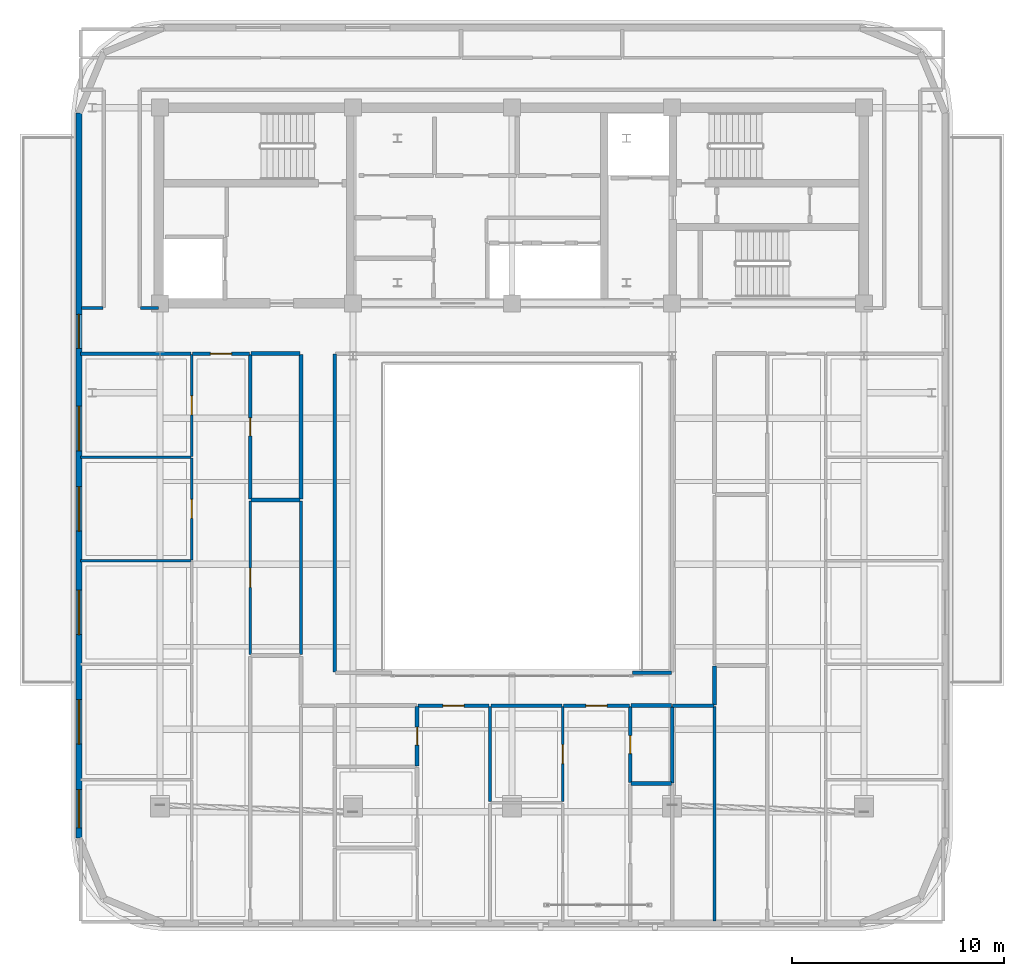
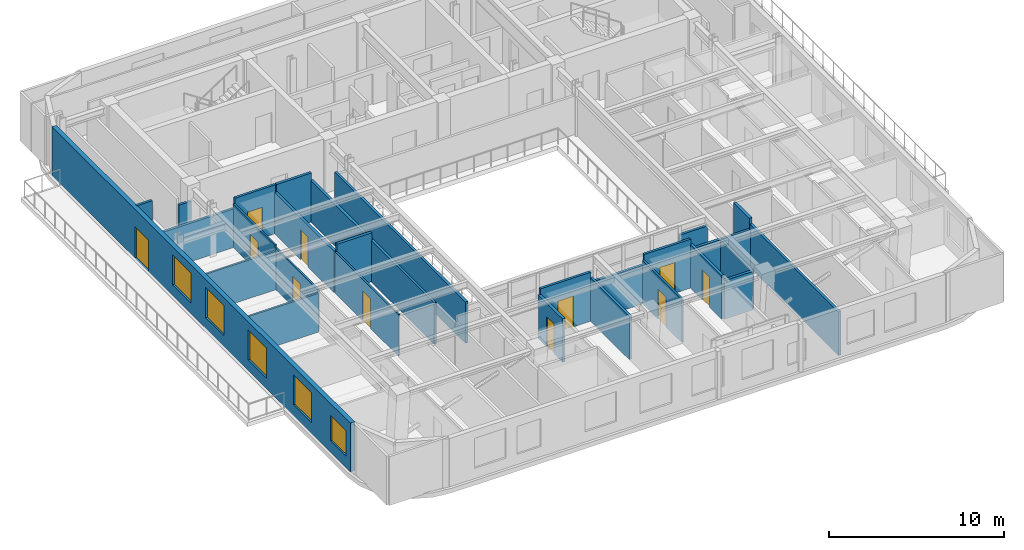
# One storey, part 7 of 14: 30 walls, 11 doors, 5 windows, 16 openings.
"""IFC4 building model written with IfcOpenShell, lengths in metres."""

from ifc_helpers import new_model, si_unit, direction, frame, frame_2d, origin, place, context, subcontext, project, spatial, rectangle, extrude, material, layer, layer_set, type_object, element, fill, save


model = new_model("IFC4")

# Units and contexts
model_context = context("Model", 3, precision=1e-05, world=origin(), true_north=direction((0.0, 1.0)))
body_context = subcontext(model_context, "Body", "Model", "MODEL_VIEW")
ifc_project = project(units=[si_unit("LENGTHUNIT", "METRE"), si_unit("AREAUNIT", "SQUARE_METRE"), si_unit("VOLUMEUNIT", "CUBIC_METRE"), si_unit("PLANEANGLEUNIT", "RADIAN"), si_unit("MASSUNIT", "GRAM", prefix="KILO")], contexts=[model_context])

# Site, building, storey
site_placement = place(None, origin())
site = spatial("IfcSite", under=ifc_project, at=site_placement, CompositionType="ELEMENT")
building_placement = place(site_placement, origin())
building = spatial("IfcBuilding", under=site, at=building_placement, Name="Zarnavel Station Tower", CompositionType="ELEMENT")
storey_placement = place(building_placement, frame((0.0, 0.0, 243.60009765625)))
storey = spatial("IfcBuildingStorey", under=building, at=storey_placement, Name="L66", CompositionType="ELEMENT", Elevation=243.60009765625)

# Wall, openings, door, windows
ifc_material_1 = material(Name="Precast concrete C45/55 (Dark Basalt Finish)", Category="masonry")
ifc_layer_1 = layer(ifc_material_1, 0.300048828125)
ifc_layer_set_1 = layer_set([ifc_layer_1], Name="EW_BASALT_300")
wall_type_1 = type_object("IfcWallType", Name="EW_BASALT_300", PredefinedType="SOLIDWALL", material=ifc_layer_set_1)
wall_1_placement = place(storey_placement, frame((8.3798828125, 2.60009765625, 0.0), z_axis=(0.0, 0.0, 1.0), x_axis=(0.0, 1.0, 0.0)))
wall_1 = element("IfcWall", 1, at=wall_1_placement, inside=storey, type_object=wall_type_1, Name="L66 Exterior Basalt Masonry Frame Wall 09", PredefinedType="SOLIDWALL", context=body_context, shape_type="SweptSolid", body=[
    extrude(rectangle(XDim=34.199951171875, YDim=0.300048828125, at=frame_2d((17.10009765625, 0.0))), origin(), (0.0, 0.0, 1.0), 3.419921875),
])
opening_1_placement = place(wall_1_placement, frame((23.10009765625, 0.0, 0.0)))
opening_1 = element("IfcOpeningElement", 2, at=opening_1_placement, cuts=wall_1, Name="Opening ED03", PredefinedType="OPENING", context=body_context, shape_type="SweptSolid", body=[
    extrude(rectangle(XDim=1.60009765625, YDim=2.199951171875, at=frame_2d((0.800048828125, 1.10009765625))), frame((0.0, 0.159912109375, 0.0), z_axis=(0.0, -1.0, 0.0), x_axis=(1.0, 0.0, 0.0)), (0.0, 0.0, 1.0), 0.320068359375),
])
opening_2_placement = place(wall_1_placement, frame((0.488525390625, 0.0, 0.800048828125)))
opening_2 = element("IfcOpeningElement", 3, at=opening_2_placement, cuts=wall_1, Name="Opening WN02", PredefinedType="OPENING", context=body_context, shape_type="SweptSolid", body=[
    extrude(rectangle(XDim=1.800048828125, YDim=1.800048828125, at=frame_2d((0.89990234375, 0.89990234375))), frame((0.0, 0.159912109375, 0.0), z_axis=(0.0, -1.0, 0.0), x_axis=(1.0, 0.0, 0.0)), (0.0, 0.0, 1.0), 0.320068359375),
])
opening_3_placement = place(wall_1_placement, frame((4.431396484375, 0.0, 0.75)))
opening_3 = element("IfcOpeningElement", 4, at=opening_3_placement, cuts=wall_1, Name="Opening WN05", PredefinedType="OPENING", context=body_context, shape_type="SweptSolid", body=[
    extrude(rectangle(XDim=2.10009765625, YDim=2.10009765625, at=frame_2d((1.050048828125, 1.050048828125))), frame((0.0, 0.159912109375, 0.0), z_axis=(0.0, -1.0, 0.0), x_axis=(1.0, 0.0, 0.0)), (0.0, 0.0, 1.0), 0.320068359375),
])
opening_4_placement = place(wall_1_placement, frame((9.596435546875, 0.0, 0.75)))
opening_4 = element("IfcOpeningElement", 5, at=opening_4_placement, cuts=wall_1, Name="Opening WN05", PredefinedType="OPENING", context=body_context, shape_type="SweptSolid", body=[
    extrude(rectangle(XDim=2.10009765625, YDim=2.10009765625, at=frame_2d((1.050048828125, 1.050048828125))), frame((0.0, 0.159912109375, 0.0), z_axis=(0.0, -1.0, 0.0), x_axis=(1.0, 0.0, 0.0)), (0.0, 0.0, 1.0), 0.320068359375),
])
opening_5_placement = place(wall_1_placement, frame((14.4775390625, 0.0, 0.75)))
opening_5 = element("IfcOpeningElement", 6, at=opening_5_placement, cuts=wall_1, Name="Opening WN05", PredefinedType="OPENING", context=body_context, shape_type="SweptSolid", body=[
    extrude(rectangle(XDim=2.10009765625, YDim=2.10009765625, at=frame_2d((1.050048828125, 1.050048828125))), frame((0.0, 0.159912109375, 0.0), z_axis=(0.0, -1.0, 0.0), x_axis=(1.0, 0.0, 0.0)), (0.0, 0.0, 1.0), 0.320068359375),
])
opening_6_placement = place(wall_1_placement, frame((18.26806640625, 0.0, 0.75)))
opening_6 = element("IfcOpeningElement", 7, at=opening_6_placement, cuts=wall_1, Name="Opening WN05", PredefinedType="OPENING", context=body_context, shape_type="SweptSolid", body=[
    extrude(rectangle(XDim=2.10009765625, YDim=2.10009765625, at=frame_2d((1.050048828125, 1.050048828125))), frame((0.0, 0.159912109375, 0.0), z_axis=(0.0, -1.0, 0.0), x_axis=(1.0, 0.0, 0.0)), (0.0, 0.0, 1.0), 0.320068359375),
])
ifc_material_2 = material(Name="Thermally Broken Black Aluminium and Laminated Safety Glass", Category="aluminium")
door_type_1 = type_object("IfcDoorType", Name="ED_TERR_1600", OperationType="DOUBLE_DOOR_SLIDING", PredefinedType="DOOR", material=ifc_material_2)
door_1_placement = place(opening_1_placement, origin())
door_1 = element("IfcDoor", 8, at=door_1_placement, inside=storey, type_object=door_type_1, Name="L66 W Setback Terrace Door", OperationType="DOUBLE_DOOR_SLIDING", OverallHeight=2.199951171875, OverallWidth=1.60009765625, PredefinedType="DOOR", context=body_context, shape_type="SweptSolid", body=[
    extrude(rectangle(XDim=1.60009765625, YDim=2.199951171875, at=frame_2d((0.800048828125, 1.10009765625))), frame((0.0, 0.02490234375, 0.0), z_axis=(0.0, -1.0, 0.0), x_axis=(1.0, 0.0, 0.0)), (0.0, 0.0, 1.0), 0.050048828125),
])
fill(opening_1, door_1)
ifc_material_3 = material(Name="Thermally Broken Black Aluminium and Low-E Dark Glass", Category="aluminium")
window_type_1 = type_object("IfcWindowType", Name="WN_1800x1800", PartitioningType="DOUBLE_PANEL_VERTICAL", PredefinedType="WINDOW", material=ifc_material_3)
window_1_placement = place(opening_2_placement, origin())
window_1 = element("IfcWindow", 9, at=window_1_placement, inside=storey, type_object=window_type_1, Name="L66 Recessed Facade Window 01", OverallHeight=1.800048828125, OverallWidth=1.800048828125, PartitioningType="SINGLE_PANEL", PredefinedType="WINDOW", context=body_context, shape_type="SweptSolid", body=[
    extrude(rectangle(XDim=1.800048828125, YDim=1.800048828125, at=frame_2d((0.89990234375, 0.89990234375))), frame((0.0, 0.030029296875, 0.0), z_axis=(0.0, -1.0, 0.0), x_axis=(1.0, 0.0, 0.0)), (0.0, 0.0, 1.0), 0.06005859375),
])
fill(opening_2, window_1)
ifc_material_4 = material(Name="Thermally Broken Black Aluminium and Low-E Dark Glass", Category="aluminium")
window_type_2 = type_object("IfcWindowType", Name="WN_2100x2100", PartitioningType="TRIPLE_PANEL_VERTICAL", PredefinedType="WINDOW", material=ifc_material_4)
window_2_placement = place(opening_3_placement, origin())
window_2 = element("IfcWindow", 10, at=window_2_placement, inside=storey, type_object=window_type_2, Name="L66 Recessed Facade Window 02", OverallHeight=2.10009765625, OverallWidth=2.10009765625, PartitioningType="SINGLE_PANEL", PredefinedType="WINDOW", context=body_context, shape_type="SweptSolid", body=[
    extrude(rectangle(XDim=2.10009765625, YDim=2.10009765625, at=frame_2d((1.050048828125, 1.050048828125))), frame((0.0, 0.030029296875, 0.0), z_axis=(0.0, -1.0, 0.0), x_axis=(1.0, 0.0, 0.0)), (0.0, 0.0, 1.0), 0.06005859375),
])
fill(opening_3, window_2)
window_3_placement = place(opening_4_placement, origin())
window_3 = element("IfcWindow", 11, at=window_3_placement, inside=storey, type_object=window_type_2, Name="L66 Recessed Facade Window 03", OverallHeight=2.10009765625, OverallWidth=2.10009765625, PartitioningType="SINGLE_PANEL", PredefinedType="WINDOW", context=body_context, shape_type="SweptSolid", body=[
    extrude(rectangle(XDim=2.10009765625, YDim=2.10009765625, at=frame_2d((1.050048828125, 1.050048828125))), frame((0.0, 0.030029296875, 0.0), z_axis=(0.0, -1.0, 0.0), x_axis=(1.0, 0.0, 0.0)), (0.0, 0.0, 1.0), 0.06005859375),
])
fill(opening_4, window_3)
window_4_placement = place(opening_5_placement, origin())
window_4 = element("IfcWindow", 12, at=window_4_placement, inside=storey, type_object=window_type_2, Name="L66 Recessed Facade Window 04", OverallHeight=2.10009765625, OverallWidth=2.10009765625, PartitioningType="SINGLE_PANEL", PredefinedType="WINDOW", context=body_context, shape_type="SweptSolid", body=[
    extrude(rectangle(XDim=2.10009765625, YDim=2.10009765625, at=frame_2d((1.050048828125, 1.050048828125))), frame((0.0, 0.030029296875, 0.0), z_axis=(0.0, -1.0, 0.0), x_axis=(1.0, 0.0, 0.0)), (0.0, 0.0, 1.0), 0.06005859375),
])
fill(opening_5, window_4)
window_5_placement = place(opening_6_placement, origin())
window_5 = element("IfcWindow", 13, at=window_5_placement, inside=storey, type_object=window_type_2, Name="L66 Recessed Facade Window 05", OverallHeight=2.10009765625, OverallWidth=2.10009765625, PartitioningType="SINGLE_PANEL", PredefinedType="WINDOW", context=body_context, shape_type="SweptSolid", body=[
    extrude(rectangle(XDim=2.10009765625, YDim=2.10009765625, at=frame_2d((1.050048828125, 1.050048828125))), frame((0.0, 0.030029296875, 0.0), z_axis=(0.0, -1.0, 0.0), x_axis=(1.0, 0.0, 0.0)), (0.0, 0.0, 1.0), 0.06005859375),
])
fill(opening_6, window_5)

# Wall, opening, door
ifc_material_5 = material(Name="Gypsum Twin-Stud Acoustic Fire Partition", Category="concrete")
ifc_layer_2 = layer(ifc_material_5, 0.159912109375)
ifc_layer_set_2 = layer_set([ifc_layer_2], Name="PT_DEMISE_160")
wall_type_2 = type_object("IfcWallType", Name="PT_DEMISE_160", PredefinedType="PARTITIONING", material=ifc_layer_set_2)
wall_2_placement = place(storey_placement, frame((13.738037109375, 25.449951171875, 0.0), z_axis=(0.0, 0.0, 1.0), x_axis=(1.0, 0.0, 0.0)))
wall_2 = element("IfcWall", 14, at=wall_2_placement, inside=storey, type_object=wall_type_2, Name="L66 Partition COR-S-UW1LV", PredefinedType="PARTITIONING", context=body_context, shape_type="SweptSolid", body=[
    extrude(rectangle(XDim=2.681884765625, YDim=0.159912109375, at=frame_2d((1.3408203125, 0.0))), origin(), (0.0, 0.0, 1.0), 3.419921875),
])
opening_7_placement = place(wall_2_placement, frame((0.841064453125, 0.0, 0.0)))
opening_7 = element("IfcOpeningElement", 15, at=opening_7_placement, cuts=wall_2, Name="Opening FD02", PredefinedType="OPENING", context=body_context, shape_type="SweptSolid", body=[
    extrude(rectangle(XDim=1.0, YDim=2.14990234375, at=frame_2d((0.5, 1.074951171875))), frame((0.0, 0.08984375, 0.0), z_axis=(0.0, -1.0, 0.0), x_axis=(1.0, 0.0, 0.0)), (0.0, 0.0, 1.0), 0.179931640625),
])
ifc_material_6 = material(Name="Painted Galvanised Steel and Hardwood Leaf", Category="steel")
door_type_2 = type_object("IfcDoorType", Name="ID_ENTRY_1000", OperationType="NOTDEFINED", PredefinedType="DOOR", material=ifc_material_6)
door_2_placement = place(opening_7_placement, origin())
door_2 = element("IfcDoor", 16, at=door_2_placement, inside=storey, type_object=door_type_2, Name="L66 Door COR-S-UW1LV", OperationType="SINGLE_SWING_LEFT", OverallHeight=2.14990234375, OverallWidth=1.0, PredefinedType="DOOR", context=body_context, shape_type="SweptSolid", body=[
    extrude(rectangle(XDim=1.0, YDim=2.14990234375, at=frame_2d((0.5, 1.074951171875))), frame((0.0, 0.02490234375, 0.0), z_axis=(0.0, -1.0, 0.0), x_axis=(1.0, 0.0, 0.0)), (0.0, 0.0, 1.0), 0.050048828125),
])
fill(opening_7, door_2)

# Walls
wall_3_placement = place(storey_placement, frame((8.4599609375, 25.449951171875, 0.0), z_axis=(0.0, 0.0, 1.0), x_axis=(1.0, 0.0, 0.0)))
element("IfcWall", 17, at=wall_3_placement, inside=storey, type_object=wall_type_2, Name="L66 Partition COR-S-UW1B5", PredefinedType="PARTITIONING", context=body_context, shape_type="SweptSolid", body=[
    extrude(rectangle(XDim=5.197998046875, YDim=0.159912109375, at=frame_2d((2.59912109375, 0.0))), origin(), (0.0, 0.0, 1.0), 2.699951171875),
])
wall_4_placement = place(storey_placement, frame((18.85009765625, 11.251953125, 0.0), z_axis=(0.0, 0.0, 1.0), x_axis=(0.0, 1.0, 0.0)))
element("IfcWall", 18, at=wall_4_placement, inside=storey, type_object=wall_type_2, Name="L66 Partition COR-AW-UW1UT", PredefinedType="PARTITIONING", context=body_context, shape_type="SweptSolid", body=[
    extrude(rectangle(XDim=7.254150390625, YDim=0.159912109375, at=frame_2d((3.626953125, 0.0))), origin(), (0.0, 0.0, 1.0), 2.89990234375),
])

# Wall, opening, door
wall_5_placement = place(storey_placement, frame((24.365966796875, 8.85009765625, 0.0), z_axis=(0.0, 0.0, 1.0), x_axis=(1.0, 0.0, 0.0)))
wall_5 = element("IfcWall", 19, at=wall_5_placement, inside=storey, type_object=wall_type_2, Name="L66 Partition COR-AS-US1ALV", PredefinedType="PARTITIONING", context=body_context, shape_type="SweptSolid", body=[
    extrude(rectangle(XDim=3.358154296875, YDim=0.159912109375, at=frame_2d((1.67919921875, 0.0))), origin(), (0.0, 0.0, 1.0), 3.419921875),
])
opening_8_placement = place(wall_5_placement, frame((1.178955078125, 0.0, 0.0)))
opening_8 = element("IfcOpeningElement", 20, at=opening_8_placement, cuts=wall_5, Name="Opening FD02", PredefinedType="OPENING", context=body_context, shape_type="SweptSolid", body=[
    extrude(rectangle(XDim=1.0, YDim=2.14990234375, at=frame_2d((0.5, 1.074951171875))), frame((0.0, 0.08984375, 0.0), z_axis=(0.0, -1.0, 0.0), x_axis=(1.0, 0.0, 0.0)), (0.0, 0.0, 1.0), 0.179931640625),
])
door_3_placement = place(opening_8_placement, origin())
door_3 = element("IfcDoor", 21, at=door_3_placement, inside=storey, type_object=door_type_2, Name="L66 Door COR-AS-US1ALV", OperationType="SINGLE_SWING_LEFT", OverallHeight=2.14990234375, OverallWidth=1.0, PredefinedType="DOOR", context=body_context, shape_type="SweptSolid", body=[
    extrude(rectangle(XDim=1.0, YDim=2.14990234375, at=frame_2d((0.5, 1.074951171875))), frame((0.0, 0.02490234375, 0.0), z_axis=(0.0, -1.0, 0.0), x_axis=(1.0, 0.0, 0.0)), (0.0, 0.0, 1.0), 0.050048828125),
])
fill(opening_8, door_3)

wall_6_placement = place(storey_placement, frame((31.238037109375, 8.85009765625, 0.0), z_axis=(0.0, 0.0, 1.0), x_axis=(1.0, 0.0, 0.0)))
wall_6 = element("IfcWall", 22, at=wall_6_placement, inside=storey, type_object=wall_type_2, Name="L66 Partition COR-AS-US1BLV", PredefinedType="PARTITIONING", context=body_context, shape_type="SweptSolid", body=[
    extrude(rectangle(XDim=3.096923828125, YDim=0.159912109375, at=frame_2d((1.54833984375, 0.0))), origin(), (0.0, 0.0, 1.0), 3.419921875),
])
opening_9_placement = place(wall_6_placement, frame((1.048583984375, 0.0, 0.0)))
opening_9 = element("IfcOpeningElement", 23, at=opening_9_placement, cuts=wall_6, Name="Opening FD02", PredefinedType="OPENING", context=body_context, shape_type="SweptSolid", body=[
    extrude(rectangle(XDim=1.0, YDim=2.14990234375, at=frame_2d((0.5, 1.074951171875))), frame((0.0, 0.08984375, 0.0), z_axis=(0.0, -1.0, 0.0), x_axis=(1.0, 0.0, 0.0)), (0.0, 0.0, 1.0), 0.179931640625),
])
door_4_placement = place(opening_9_placement, origin())
door_4 = element("IfcDoor", 24, at=door_4_placement, inside=storey, type_object=door_type_2, Name="L66 Door COR-AS-US1BLV", OperationType="SINGLE_SWING_RIGHT", OverallHeight=2.14990234375, OverallWidth=1.0, PredefinedType="DOOR", context=body_context, shape_type="SweptSolid", body=[
    extrude(rectangle(XDim=1.0, YDim=2.14990234375, at=frame_2d((0.5, 1.074951171875))), frame((0.0, 0.02490234375, 0.0), z_axis=(0.0, -1.0, 0.0), x_axis=(1.0, 0.0, 0.0)), (0.0, 0.0, 1.0), 0.050048828125),
])
fill(opening_9, door_4)

# Walls
wall_7_placement = place(storey_placement, frame((27.803955078125, 8.85009765625, 0.0), z_axis=(0.0, 0.0, 1.0), x_axis=(1.0, 0.0, 0.0)))
element("IfcWall", 25, at=wall_7_placement, inside=storey, type_object=wall_type_2, Name="L66 Partition COR-AS-US1BB2", PredefinedType="PARTITIONING", context=body_context, shape_type="SweptSolid", body=[
    extrude(rectangle(XDim=3.35400390625, YDim=0.159912109375, at=frame_2d((1.677001953125, 0.0))), origin(), (0.0, 0.0, 1.0), 2.699951171875),
])
wall_8_placement = place(storey_placement, frame((27.763916015625, 4.319091796875, 0.0), z_axis=(0.0, 0.0, 1.0), x_axis=(0.0, 1.0, 0.0)))
element("IfcWall", 26, at=wall_8_placement, inside=storey, type_object=wall_type_2, Name="L66 Partition US1ALV-US1BB2", PredefinedType="PARTITIONING", context=body_context, shape_type="SweptSolid", body=[
    extrude(rectangle(XDim=4.490966796875, YDim=0.159912109375, at=frame_2d((2.24560546875, 0.0))), origin(), (0.0, 0.0, 1.0), 3.039794921875),
])
wall_9_placement = place(storey_placement, frame((8.489990234375, 27.60009765625, 0.0), z_axis=(0.0, 0.0, 1.0), x_axis=(1.0, 0.0, 0.0)))
element("IfcWall", 27, at=wall_9_placement, inside=storey, type_object=wall_type_2, Name="L66 Enclosure Wall COR-S", PredefinedType="PARTITIONING", context=body_context, shape_type="SweptSolid", body=[
    extrude(rectangle(XDim=1.030029296875, YDim=0.159912109375, at=frame_2d((0.51513671875, 0.0))), origin(), (0.0, 0.0, 1.0), 3.419921875),
])
wall_10_placement = place(storey_placement, frame((11.280029296875, 27.60009765625, 0.0), z_axis=(0.0, 0.0, 1.0), x_axis=(1.0, 0.0, 0.0)))
element("IfcWall", 28, at=wall_10_placement, inside=storey, type_object=wall_type_2, Name="L66 Enclosure Wall COR-S", PredefinedType="PARTITIONING", context=body_context, shape_type="SweptSolid", body=[
    extrude(rectangle(XDim=0.840087890625, YDim=0.159912109375, at=frame_2d((0.419921875, 0.0))), origin(), (0.0, 0.0, 1.0), 2.489990234375),
])
wall_11_placement = place(storey_placement, frame((20.449951171875, 10.429931640625, 0.0), z_axis=(0.0, 0.0, 1.0), x_axis=(0.0, 1.0, 0.0)))
element("IfcWall", 29, at=wall_11_placement, inside=storey, type_object=wall_type_2, Name="L66 Enclosure Wall COR-AW", PredefinedType="PARTITIONING", context=body_context, shape_type="SweptSolid", body=[
    extrude(rectangle(XDim=14.989990234375, YDim=0.159912109375, at=frame_2d((7.4951171875, 0.0))), origin(), (0.0, 0.0, 1.0), 2.89990234375),
])
wall_12_placement = place(storey_placement, frame((36.3798828125, 8.85009765625, 0.0), z_axis=(0.0, 0.0, 1.0), x_axis=(1.0, 0.0, 0.0)))
element("IfcWall", 30, at=wall_12_placement, inside=storey, type_object=wall_type_2, Name="L66 Enclosure Wall COR-AE", PredefinedType="PARTITIONING", context=body_context, shape_type="SweptSolid", body=[
    extrude(rectangle(XDim=1.940185546875, YDim=0.159912109375, at=frame_2d((0.97021484375, 0.0))), origin(), (0.0, 0.0, 1.0), 2.699951171875),
])
wall_13_placement = place(storey_placement, frame((34.47998046875, 10.39990234375, 0.0), z_axis=(0.0, 0.0, 1.0), x_axis=(1.0, 0.0, 0.0)))
element("IfcWall", 31, at=wall_13_placement, inside=storey, type_object=wall_type_2, Name="L66 Enclosure Wall COR-AS", PredefinedType="PARTITIONING", context=body_context, shape_type="SweptSolid", body=[
    extrude(rectangle(XDim=1.840087890625, YDim=0.159912109375, at=frame_2d((0.919921875, 0.0))), origin(), (0.0, 0.0, 1.0), 2.699951171875),
])
wall_14_placement = place(storey_placement, frame((36.35009765625, 5.2119140625, 0.0), z_axis=(0.0, 0.0, 1.0), x_axis=(0.0, 1.0, 0.0)))
element("IfcWall", 32, at=wall_14_placement, inside=storey, type_object=wall_type_2, Name="L66 Enclosure Wall US1BBA", PredefinedType="PARTITIONING", context=body_context, shape_type="SweptSolid", body=[
    extrude(rectangle(XDim=3.608154296875, YDim=0.159912109375, at=frame_2d((1.80419921875, 0.0))), origin(), (0.0, 0.0, 1.0), 2.699951171875),
])
wall_15_placement = place(storey_placement, frame((38.35009765625, -1.31005859375, 0.0), z_axis=(0.0, 0.0, 1.0), x_axis=(0.0, 1.0, 0.0)))
element("IfcWall", 33, at=wall_15_placement, inside=storey, type_object=wall_type_2, Name="L66 Enclosure Wall UE1KT", PredefinedType="PARTITIONING", context=body_context, shape_type="SweptSolid", body=[
    extrude(rectangle(XDim=10.130126953125, YDim=0.159912109375, at=frame_2d((5.06494140625, 0.0))), origin(), (0.0, 0.0, 1.0), 3.0498046875),
])

# Wall, opening, door
ifc_material_7 = material(Name="Gypsum Metal-Stud Interior Partition", Category="concrete")
ifc_layer_3 = layer(ifc_material_7, 0.1201171875)
ifc_layer_set_3 = layer_set([ifc_layer_3], Name="PT_ROOM_120")
wall_type_3 = type_object("IfcWallType", Name="PT_ROOM_120", PredefinedType="PARTITIONING", material=ifc_layer_set_3)
wall_16_placement = place(storey_placement, frame((16.4599609375, 11.251953125, 0.0), z_axis=(0.0, 0.0, 1.0), x_axis=(0.0, 1.0, 0.0)))
wall_16 = element("IfcWall", 34, at=wall_16_placement, inside=storey, type_object=wall_type_3, Name="L66 Partition UW1LV-UW1UT", PredefinedType="PARTITIONING", context=body_context, shape_type="SweptSolid", body=[
    extrude(rectangle(XDim=7.254150390625, YDim=0.1201171875, at=frame_2d((3.626953125, 0.0))), origin(), (0.0, 0.0, 1.0), 2.89990234375),
])
opening_10_placement = place(wall_16_placement, frame((3.177001953125, 0.0, 0.0)))
opening_10 = element("IfcOpeningElement", 35, at=opening_10_placement, cuts=wall_16, Name="Opening ID01", PredefinedType="OPENING", context=body_context, shape_type="SweptSolid", body=[
    extrude(rectangle(XDim=0.89990234375, YDim=2.10009765625, at=frame_2d((0.449951171875, 1.050048828125))), frame((0.0, 0.070068359375, 0.0), z_axis=(0.0, -1.0, 0.0), x_axis=(1.0, 0.0, 0.0)), (0.0, 0.0, 1.0), 0.14013671875),
])
ifc_material_8 = material(Name="Painted Galvanised Steel and Hardwood Leaf", Category="steel")
door_type_3 = type_object("IfcDoorType", Name="ID_ROOM_900", OperationType="NOTDEFINED", PredefinedType="DOOR", material=ifc_material_8)
door_5_placement = place(opening_10_placement, origin())
door_5 = element("IfcDoor", 36, at=door_5_placement, inside=storey, type_object=door_type_3, Name="L66 Door UW1LV-UW1UT", OperationType="SINGLE_SWING_LEFT", OverallHeight=2.10009765625, OverallWidth=0.89990234375, PredefinedType="DOOR", context=body_context, shape_type="SweptSolid", body=[
    extrude(rectangle(XDim=0.89990234375, YDim=2.10009765625, at=frame_2d((0.449951171875, 1.050048828125))), frame((0.0, 0.02490234375, 0.0), z_axis=(0.0, -1.0, 0.0), x_axis=(1.0, 0.0, 0.0)), (0.0, 0.0, 1.0), 0.050048828125),
])
fill(opening_10, door_5)

wall_17_placement = place(storey_placement, frame((13.697998046875, 15.72705078125, 0.0), z_axis=(0.0, 0.0, 1.0), x_axis=(0.0, 1.0, 0.0)))
wall_17 = element("IfcWall", 37, at=wall_17_placement, inside=storey, type_object=wall_type_3, Name="L66 Partition UW1LV-UW1B4", PredefinedType="PARTITIONING", context=body_context, shape_type="SweptSolid", body=[
    extrude(rectangle(XDim=4.801025390625, YDim=0.1201171875, at=frame_2d((2.400390625, 0.0))), origin(), (0.0, 0.0, 1.0), 2.89990234375),
])
opening_11_placement = place(wall_17_placement, frame((1.950439453125, 0.0, 0.0)))
opening_11 = element("IfcOpeningElement", 38, at=opening_11_placement, cuts=wall_17, Name="Opening ID01", PredefinedType="OPENING", context=body_context, shape_type="SweptSolid", body=[
    extrude(rectangle(XDim=0.89990234375, YDim=2.10009765625, at=frame_2d((0.449951171875, 1.050048828125))), frame((0.0, 0.070068359375, 0.0), z_axis=(0.0, -1.0, 0.0), x_axis=(1.0, 0.0, 0.0)), (0.0, 0.0, 1.0), 0.14013671875),
])
door_6_placement = place(opening_11_placement, origin())
door_6 = element("IfcDoor", 39, at=door_6_placement, inside=storey, type_object=door_type_3, Name="L66 Door UW1LV-UW1B4", OperationType="SINGLE_SWING_RIGHT", OverallHeight=2.10009765625, OverallWidth=0.89990234375, PredefinedType="DOOR", context=body_context, shape_type="SweptSolid", body=[
    extrude(rectangle(XDim=0.89990234375, YDim=2.10009765625, at=frame_2d((0.449951171875, 1.050048828125))), frame((0.0, 0.02490234375, 0.0), z_axis=(0.0, -1.0, 0.0), x_axis=(1.0, 0.0, 0.0)), (0.0, 0.0, 1.0), 0.050048828125),
])
fill(opening_11, door_6)

wall_18_placement = place(storey_placement, frame((13.697998046875, 20.60791015625, 0.0), z_axis=(0.0, 0.0, 1.0), x_axis=(0.0, 1.0, 0.0)))
wall_18 = element("IfcWall", 40, at=wall_18_placement, inside=storey, type_object=wall_type_3, Name="L66 Partition UW1LV-UW1B5", PredefinedType="PARTITIONING", context=body_context, shape_type="SweptSolid", body=[
    extrude(rectangle(XDim=4.802001953125, YDim=0.1201171875, at=frame_2d((2.40087890625, 0.0))), origin(), (0.0, 0.0, 1.0), 3.0498046875),
])
opening_12_placement = place(wall_18_placement, frame((1.950927734375, 0.0, 0.0)))
opening_12 = element("IfcOpeningElement", 41, at=opening_12_placement, cuts=wall_18, Name="Opening ID01", PredefinedType="OPENING", context=body_context, shape_type="SweptSolid", body=[
    extrude(rectangle(XDim=0.89990234375, YDim=2.10009765625, at=frame_2d((0.449951171875, 1.050048828125))), frame((0.0, 0.070068359375, 0.0), z_axis=(0.0, -1.0, 0.0), x_axis=(1.0, 0.0, 0.0)), (0.0, 0.0, 1.0), 0.14013671875),
])
door_7_placement = place(opening_12_placement, origin())
door_7 = element("IfcDoor", 42, at=door_7_placement, inside=storey, type_object=door_type_3, Name="L66 Door UW1LV-UW1B5", OperationType="SINGLE_SWING_LEFT", OverallHeight=2.10009765625, OverallWidth=0.89990234375, PredefinedType="DOOR", context=body_context, shape_type="SweptSolid", body=[
    extrude(rectangle(XDim=0.89990234375, YDim=2.10009765625, at=frame_2d((0.449951171875, 1.050048828125))), frame((0.0, 0.02490234375, 0.0), z_axis=(0.0, -1.0, 0.0), x_axis=(1.0, 0.0, 0.0)), (0.0, 0.0, 1.0), 0.050048828125),
])
fill(opening_12, door_7)

# Walls
for number, where, z_axis, x_axis, name in (
    (43, (8.4599609375, 15.68701171875, 0.0), (0.0, 0.0, 1.0), (1.0, 0.0, 0.0), "L66 Partition UW1B3-UW1B4"),
    (44, (8.4599609375, 20.568115234375, 0.0), (0.0, 0.0, 1.0), (1.0, 0.0, 0.0), "L66 Partition UW1B4-UW1B5"),
):
    element("IfcWall", number, at=place(storey_placement, frame(where, z_axis=z_axis, x_axis=x_axis)), inside=storey, type_object=wall_type_3, Name=name, PredefinedType="PARTITIONING", context=body_context, shape_type="SweptSolid", body=[
        extrude(rectangle(XDim=5.197998046875, YDim=0.1201171875, at=frame_2d((2.59912109375, 0.0))), origin(), (0.0, 0.0, 1.0), 2.699951171875),
    ])

# Wall, opening, door
wall_19_placement = place(storey_placement, frame((31.197998046875, 4.319091796875, 0.0), z_axis=(0.0, 0.0, 1.0), x_axis=(0.0, 1.0, 0.0)))
wall_19 = element("IfcWall", 45, at=wall_19_placement, inside=storey, type_object=wall_type_3, Name="L66 Partition US1BLV-US1BB2", PredefinedType="PARTITIONING", context=body_context, shape_type="SweptSolid", body=[
    extrude(rectangle(XDim=4.490966796875, YDim=0.1201171875, at=frame_2d((2.24560546875, 0.0))), origin(), (0.0, 0.0, 1.0), 3.039794921875),
])
opening_13_placement = place(wall_19_placement, frame((1.79541015625, 0.0, 0.0)))
opening_13 = element("IfcOpeningElement", 46, at=opening_13_placement, cuts=wall_19, Name="Opening ID01", PredefinedType="OPENING", context=body_context, shape_type="SweptSolid", body=[
    extrude(rectangle(XDim=0.89990234375, YDim=2.10009765625, at=frame_2d((0.449951171875, 1.050048828125))), frame((0.0, 0.070068359375, 0.0), z_axis=(0.0, -1.0, 0.0), x_axis=(1.0, 0.0, 0.0)), (0.0, 0.0, 1.0), 0.14013671875),
])
door_8_placement = place(opening_13_placement, origin())
door_8 = element("IfcDoor", 47, at=door_8_placement, inside=storey, type_object=door_type_3, Name="L66 Door US1BLV-US1BB2", OperationType="SINGLE_SWING_RIGHT", OverallHeight=2.10009765625, OverallWidth=0.89990234375, PredefinedType="DOOR", context=body_context, shape_type="SweptSolid", body=[
    extrude(rectangle(XDim=0.89990234375, YDim=2.10009765625, at=frame_2d((0.449951171875, 1.050048828125))), frame((0.0, 0.02490234375, 0.0), z_axis=(0.0, -1.0, 0.0), x_axis=(1.0, 0.0, 0.0)), (0.0, 0.0, 1.0), 0.050048828125),
])
fill(opening_13, door_8)

# Walls
ifc_material_9 = material(Name="Moisture-Resistant Plumbing Chase Wall", Category="concrete")
ifc_layer_4 = layer(ifc_material_9, 0.179931640625)
ifc_layer_set_4 = layer_set([ifc_layer_4], Name="PW_PLUMB_180")
wall_type_4 = type_object("IfcWallType", Name="PW_PLUMB_180", PredefinedType="PLUMBINGWALL", material=ifc_layer_set_4)
wall_20_placement = place(storey_placement, frame((16.5, 25.449951171875, 0.0), z_axis=(0.0, 0.0, 1.0), x_axis=(1.0, 0.0, 0.0)))
element("IfcWall", 48, at=wall_20_placement, inside=storey, type_object=wall_type_4, Name="L66 Partition COR-S-UW1BA", PredefinedType="PLUMBINGWALL", context=body_context, shape_type="SweptSolid", body=[
    extrude(rectangle(XDim=2.31005859375, YDim=0.179931640625, at=frame_2d((1.155029296875, 0.0))), origin(), (0.0, 0.0, 1.0), 3.419921875),
])
wall_21_placement = place(storey_placement, frame((18.85009765625, 18.5859375, 0.0), z_axis=(0.0, 0.0, 1.0), x_axis=(0.0, 1.0, 0.0)))
element("IfcWall", 49, at=wall_21_placement, inside=storey, type_object=wall_type_4, Name="L66 Partition COR-AW-UW1BA", PredefinedType="PLUMBINGWALL", context=body_context, shape_type="SweptSolid", body=[
    extrude(rectangle(XDim=6.823974609375, YDim=0.179931640625, at=frame_2d((3.412109375, 0.0))), origin(), (0.0, 0.0, 1.0), 2.89990234375),
])
wall_22_placement = place(storey_placement, frame((38.35009765625, 8.889892578125, 0.0), z_axis=(0.0, 0.0, 1.0), x_axis=(0.0, 1.0, 0.0)))
element("IfcWall", 50, at=wall_22_placement, inside=storey, type_object=wall_type_4, Name="L66 Partition COR-AE-UE1KT", PredefinedType="PLUMBINGWALL", context=body_context, shape_type="SweptSolid", body=[
    extrude(rectangle(XDim=1.817138671875, YDim=0.179931640625, at=frame_2d((0.90869140625, 0.0))), origin(), (0.0, 0.0, 1.0), 3.419921875),
])
wall_23_placement = place(storey_placement, frame((34.4150390625, 8.85009765625, 0.0), z_axis=(0.0, 0.0, 1.0), x_axis=(1.0, 0.0, 0.0)))
element("IfcWall", 51, at=wall_23_placement, inside=storey, type_object=wall_type_4, Name="L66 Partition COR-AS-US1BBA", PredefinedType="PLUMBINGWALL", context=body_context, shape_type="SweptSolid", body=[
    extrude(rectangle(XDim=1.89501953125, YDim=0.179931640625, at=frame_2d((0.947509765625, 0.0))), origin(), (0.0, 0.0, 1.0), 2.699951171875),
])

# Wall, opening, door
wall_24_placement = place(storey_placement, frame((16.4599609375, 18.5859375, 0.0), z_axis=(0.0, 0.0, 1.0), x_axis=(0.0, 1.0, 0.0)))
wall_24 = element("IfcWall", 52, at=wall_24_placement, inside=storey, type_object=wall_type_4, Name="L66 Partition UW1LV-UW1BA", PredefinedType="PLUMBINGWALL", context=body_context, shape_type="SweptSolid", body=[
    extrude(rectangle(XDim=6.823974609375, YDim=0.179931640625, at=frame_2d((3.412109375, 0.0))), origin(), (0.0, 0.0, 1.0), 2.89990234375),
])
opening_14_placement = place(wall_24_placement, frame((2.987060546875, 0.0, 0.0)))
opening_14 = element("IfcOpeningElement", 53, at=opening_14_placement, cuts=wall_24, Name="Opening ID02", PredefinedType="OPENING", context=body_context, shape_type="SweptSolid", body=[
    extrude(rectangle(XDim=0.85009765625, YDim=2.10009765625, at=frame_2d((0.425048828125, 1.050048828125))), frame((0.0, 0.099853515625, 0.0), z_axis=(0.0, -1.0, 0.0), x_axis=(1.0, 0.0, 0.0)), (0.0, 0.0, 1.0), 0.199951171875),
])
ifc_material_10 = material(Name="Painted Galvanised Steel and Hardwood Leaf", Category="steel")
door_type_4 = type_object("IfcDoorType", Name="ID_BATH_850", OperationType="NOTDEFINED", PredefinedType="DOOR", material=ifc_material_10)
door_9_placement = place(opening_14_placement, origin())
door_9 = element("IfcDoor", 54, at=door_9_placement, inside=storey, type_object=door_type_4, Name="L66 Door UW1LV-UW1BA", OperationType="SINGLE_SWING_RIGHT", OverallHeight=2.10009765625, OverallWidth=0.85009765625, PredefinedType="DOOR", context=body_context, shape_type="SweptSolid", body=[
    extrude(rectangle(XDim=0.85009765625, YDim=2.10009765625, at=frame_2d((0.425048828125, 1.050048828125))), frame((0.0, 0.02490234375, 0.0), z_axis=(0.0, -1.0, 0.0), x_axis=(1.0, 0.0, 0.0)), (0.0, 0.0, 1.0), 0.050048828125),
])
fill(opening_14, door_9)

# Wall
wall_25_placement = place(storey_placement, frame((16.5, 18.5458984375, 0.0), z_axis=(0.0, 0.0, 1.0), x_axis=(1.0, 0.0, 0.0)))
element("IfcWall", 55, at=wall_25_placement, inside=storey, type_object=wall_type_4, Name="L66 Partition UW1UT-UW1BA", PredefinedType="PLUMBINGWALL", context=body_context, shape_type="SweptSolid", body=[
    extrude(rectangle(XDim=2.31005859375, YDim=0.179931640625, at=frame_2d((1.155029296875, 0.0))), origin(), (0.0, 0.0, 1.0), 3.419921875),
])

# Wall, opening, door
wall_26_placement = place(storey_placement, frame((24.325927734375, 6.006103515625, 0.0), z_axis=(0.0, 0.0, 1.0), x_axis=(0.0, 1.0, 0.0)))
wall_26 = element("IfcWall", 56, at=wall_26_placement, inside=storey, type_object=wall_type_4, Name="L66 Partition US1ALV-US1ABA", PredefinedType="PLUMBINGWALL", context=body_context, shape_type="SweptSolid", body=[
    extrude(rectangle(XDim=2.803955078125, YDim=0.179931640625, at=frame_2d((1.40185546875, 0.0))), origin(), (0.0, 0.0, 1.0), 3.039794921875),
])
opening_15_placement = place(wall_26_placement, frame((0.97705078125, 0.0, 0.0)))
opening_15 = element("IfcOpeningElement", 57, at=opening_15_placement, cuts=wall_26, Name="Opening ID02", PredefinedType="OPENING", context=body_context, shape_type="SweptSolid", body=[
    extrude(rectangle(XDim=0.85009765625, YDim=2.10009765625, at=frame_2d((0.425048828125, 1.050048828125))), frame((0.0, 0.099853515625, 0.0), z_axis=(0.0, -1.0, 0.0), x_axis=(1.0, 0.0, 0.0)), (0.0, 0.0, 1.0), 0.199951171875),
])
door_10_placement = place(opening_15_placement, origin())
door_10 = element("IfcDoor", 58, at=door_10_placement, inside=storey, type_object=door_type_4, Name="L66 Door US1ALV-US1ABA", OperationType="SINGLE_SWING_RIGHT", OverallHeight=2.10009765625, OverallWidth=0.85009765625, PredefinedType="DOOR", context=body_context, shape_type="SweptSolid", body=[
    extrude(rectangle(XDim=0.85009765625, YDim=2.10009765625, at=frame_2d((0.425048828125, 1.050048828125))), frame((0.0, 0.02490234375, 0.0), z_axis=(0.0, -1.0, 0.0), x_axis=(1.0, 0.0, 0.0)), (0.0, 0.0, 1.0), 0.050048828125),
])
fill(opening_15, door_10)

wall_27_placement = place(storey_placement, frame((34.375, 5.221923828125, 0.0), z_axis=(0.0, 0.0, 1.0), x_axis=(0.0, 1.0, 0.0)))
wall_27 = element("IfcWall", 59, at=wall_27_placement, inside=storey, type_object=wall_type_4, Name="L66 Partition US1BLV-US1BBA", PredefinedType="PLUMBINGWALL", context=body_context, shape_type="SweptSolid", body=[
    extrude(rectangle(XDim=3.588134765625, YDim=0.179931640625, at=frame_2d((1.7939453125, 0.0))), origin(), (0.0, 0.0, 1.0), 3.039794921875),
])
opening_16_placement = place(wall_27_placement, frame((1.368896484375, 0.0, 0.0)))
opening_16 = element("IfcOpeningElement", 60, at=opening_16_placement, cuts=wall_27, Name="Opening ID02", PredefinedType="OPENING", context=body_context, shape_type="SweptSolid", body=[
    extrude(rectangle(XDim=0.85009765625, YDim=2.10009765625, at=frame_2d((0.425048828125, 1.050048828125))), frame((0.0, 0.099853515625, 0.0), z_axis=(0.0, -1.0, 0.0), x_axis=(1.0, 0.0, 0.0)), (0.0, 0.0, 1.0), 0.199951171875),
])
door_11_placement = place(opening_16_placement, origin())
door_11 = element("IfcDoor", 61, at=door_11_placement, inside=storey, type_object=door_type_4, Name="L66 Door US1BLV-US1BBA", OperationType="SINGLE_SWING_RIGHT", OverallHeight=2.10009765625, OverallWidth=0.85009765625, PredefinedType="DOOR", context=body_context, shape_type="SweptSolid", body=[
    extrude(rectangle(XDim=0.85009765625, YDim=2.10009765625, at=frame_2d((0.425048828125, 1.050048828125))), frame((0.0, 0.02490234375, 0.0), z_axis=(0.0, -1.0, 0.0), x_axis=(1.0, 0.0, 0.0)), (0.0, 0.0, 1.0), 0.050048828125),
])
fill(opening_16, door_11)

# Wall
wall_28_placement = place(storey_placement, frame((34.4150390625, 5.181884765625, 0.0), z_axis=(0.0, 0.0, 1.0), x_axis=(1.0, 0.0, 0.0)))
element("IfcWall", 62, at=wall_28_placement, inside=storey, type_object=wall_type_4, Name="L66 Partition US1BKT-US1BBA", PredefinedType="PLUMBINGWALL", context=body_context, shape_type="SweptSolid", body=[
    extrude(rectangle(XDim=1.89501953125, YDim=0.179931640625, at=frame_2d((0.947509765625, 0.0))), origin(), (0.0, 0.0, 1.0), 2.699951171875),
])

save(model, "model.ifc")
